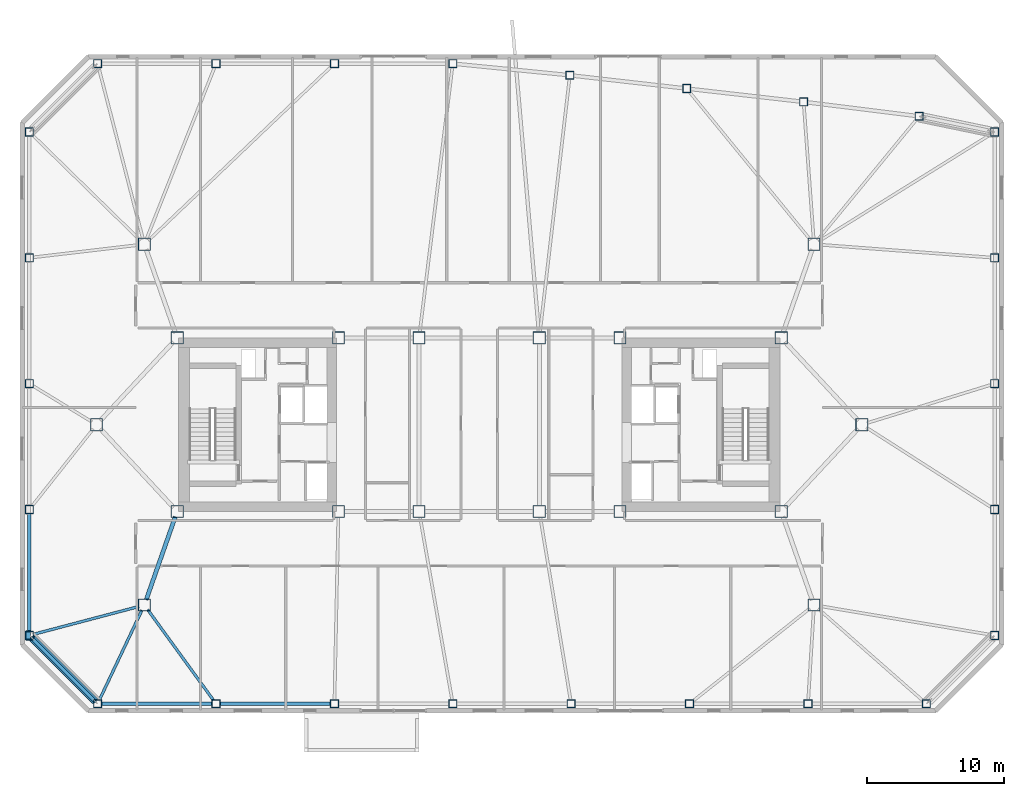
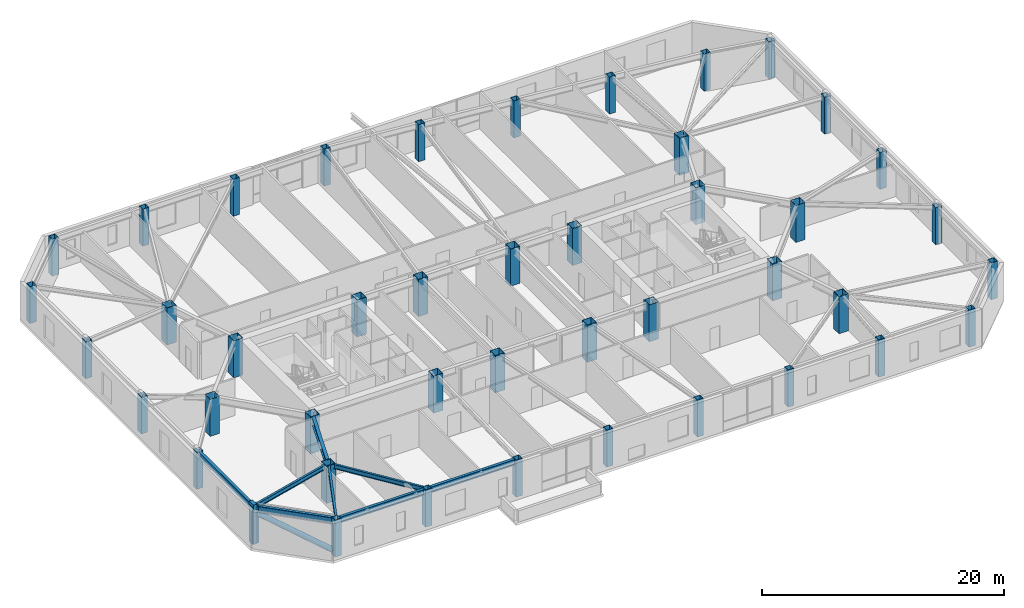
# One storey, part 1 of 18: 44 columns, 8 beams, 2 members.
"""IFC4 building model written with IfcOpenShell, lengths in metres."""

import ifcopenshell
import ifcopenshell.guid

model = None  # the IFC model being written
_history = None  # IfcOwnerHistory: only IFC2X3 demands one
_inside = {}  # id of a spatial element -> (the spatial element, [elements in it])
_under = {}  # id of a project, library or spatial element -> (it, [spatial elements below it])
_declared = {}  # id of a project -> (the project, [libraries it declares])
_typed = {}  # id of a type object -> (the type object, [elements of that type])
_made_of = {}  # id of a material, layer set ... -> (it, [elements and type objects made of it])


def new_model(schema):
    """Start an empty IFC model of exactly this schema.

    Asked for "IFC4X3", IfcOpenShell would pick the latest addendum, in which some entities
    have other attributes; the version numbers below select the first issue.
    IFC2X3 requires an IfcOwnerHistory on every rooted entity: one is made here for all.
    """
    global model, _history
    if schema == "IFC4X3":
        model = ifcopenshell.file(schema_version=(4, 3, 0, 0))
    else:
        model = ifcopenshell.file(schema=schema)
    _inside.clear()
    _under.clear()
    _declared.clear()
    _typed.clear()
    _made_of.clear()
    _history = None
    if model.schema == "IFC2X3":
        org = make("IfcOrganization", Name="unknown")
        user = make(
            "IfcPersonAndOrganization",
            ThePerson=make("IfcPerson", FamilyName="unknown"),
            TheOrganization=org,
        )
        app = make(
            "IfcApplication",
            ApplicationDeveloper=org,
            Version="unknown",
            ApplicationFullName="unknown",
            ApplicationIdentifier="unknown",
        )
        _history = make(
            "IfcOwnerHistory",
            OwningUser=user,
            OwningApplication=app,
            ChangeAction="ADDED",
            CreationDate=0,
        )
    return model


def make(cls, **values):
    """One entity of the class cls with the attributes given. An attribute that is None is left unset."""
    return model.create_entity(
        cls, **{name: value for name, value in values.items() if value is not None}
    )


def rooted(cls, **values):
    """An entity with a GlobalId (a new one), such as an element, a storey or a relation."""
    return make(cls, GlobalId=ifcopenshell.guid.new(), OwnerHistory=_history, **values)


def si_unit(unit_type, name, prefix=None):
    """IfcSIUnit, for example si_unit("LENGTHUNIT", "METRE", prefix="MILLI")."""
    return make("IfcSIUnit", UnitType=unit_type, Prefix=prefix, Name=name)


def assignment(units):
    """IfcUnitAssignment: the units of a project."""
    return None if units is None else make("IfcUnitAssignment", Units=units)


def point(xyz):
    """IfcCartesianPoint."""
    return None if xyz is None else make("IfcCartesianPoint", Coordinates=xyz)


def direction(xyz):
    """IfcDirection."""
    return None if xyz is None else make("IfcDirection", DirectionRatios=xyz)


def frame(location, z_axis=None, x_axis=None):
    """IfcAxis2Placement3D, a coordinate frame: its origin and axes. An axis left out is left unset."""
    return make(
        "IfcAxis2Placement3D",
        Location=point(location),
        Axis=direction(z_axis),
        RefDirection=direction(x_axis),
    )


def frame_2d(location, x_axis=None):
    """IfcAxis2Placement2D, a coordinate frame in the plane: its origin and x axis."""
    return make(
        "IfcAxis2Placement2D", Location=point(location), RefDirection=direction(x_axis)
    )


def origin():
    """The frame at (0, 0, 0) with its axes left unset."""
    return frame((0.0, 0.0, 0.0))


def origin_2d():
    """The frame at (0, 0) in the plane with its x axis left unset."""
    return frame_2d((0.0, 0.0))


def place(relative_to, where):
    """IfcLocalPlacement: puts the frame where relative to a parent placement (None: the world)."""
    return make(
        "IfcLocalPlacement", PlacementRelTo=relative_to, RelativePlacement=where
    )


def context(
    kind, dimensions, precision=None, world=None, true_north=None, identifier=None
):
    """IfcGeometricRepresentationContext, for example the 3D "Model" context."""
    return make(
        "IfcGeometricRepresentationContext",
        ContextIdentifier=identifier,
        ContextType=kind,
        CoordinateSpaceDimension=dimensions,
        Precision=precision,
        WorldCoordinateSystem=world,
        TrueNorth=true_north,
    )


def subcontext(parent, identifier, kind, view, scale=None):
    """IfcGeometricRepresentationSubContext, for example "Body" below "Model"."""
    return make(
        "IfcGeometricRepresentationSubContext",
        ContextIdentifier=identifier,
        ContextType=kind,
        ParentContext=parent,
        TargetScale=scale,
        TargetView=view,
    )


def project(units=None, contexts=None):
    """IfcProject with its units and contexts."""
    return rooted(
        "IfcProject",
        Name="project",
        RepresentationContexts=contexts,
        UnitsInContext=assignment(units),
    )


def spatial(cls, under=None, at=None, **own):
    """A site, building, storey or space (cls), placed at a placement, below another one or the project."""
    s = rooted(cls, ObjectPlacement=at, **own)
    if under is not None:
        _under.setdefault(under.id(), (under, []))[1].append(s)
    return s


def profile(cls, at=None, kind="AREA", **sizes):
    """A parametric profile (cls). Its sizes go by their IFC names, for example OverallWidth=200.0."""
    return make(cls, ProfileType=kind, Position=at, **sizes)


def rectangle(**sizes):
    """IfcRectangleProfileDef."""
    return profile("IfcRectangleProfileDef", **sizes)


def hollow_rectangle(**sizes):
    """IfcRectangleHollowProfileDef."""
    return profile("IfcRectangleHollowProfileDef", **sizes)


def hollow_circle(**sizes):
    """IfcCircleHollowProfileDef."""
    return profile("IfcCircleHollowProfileDef", **sizes)


def i_section(**sizes):
    """IfcIShapeProfileDef."""
    return profile("IfcIShapeProfileDef", **sizes)


def extrude(swept, where, along, depth):
    """IfcExtrudedAreaSolid: the profile swept, set in the frame where, extruded along a direction by depth."""
    return make(
        "IfcExtrudedAreaSolid",
        SweptArea=swept,
        Position=where,
        ExtrudedDirection=direction(along),
        Depth=depth,
    )


def shape(context_of_items, identifier, shape_type, items):
    """IfcShapeRepresentation: the items that make up one representation, for example the "Body"."""
    return make(
        "IfcShapeRepresentation",
        ContextOfItems=context_of_items,
        RepresentationIdentifier=identifier,
        RepresentationType=shape_type,
        Items=items,
    )


def material(Name=None, Category=None):
    """IfcMaterial."""
    return make("IfcMaterial", Name=Name, Category=Category)


def material_profile(
    of_material, cross_section, Name=None, Category=None, Priority=None
):
    """IfcMaterialProfile: a cross section and its material."""
    return make(
        "IfcMaterialProfile",
        Name=Name,
        Material=of_material,
        Profile=cross_section,
        Priority=Priority,
        Category=Category,
    )


def profile_set(profiles, Name=None, composite=None):
    """IfcMaterialProfileSet."""
    return make(
        "IfcMaterialProfileSet",
        Name=Name,
        MaterialProfiles=profiles,
        CompositeProfile=composite,
    )


def made_of(thing, what):
    """Note that an element or type object is made of a material, layer set ...; save() writes the relation."""
    if what is not None:
        _made_of.setdefault(what.id(), (what, []))[1].append(thing)
    return thing


def type_object(cls, material=None, **own):
    """A type object (cls), such as IfcWallType, which elements share."""
    return made_of(rooted(cls, **own), material)


def element(
    cls,
    number,
    at=None,
    inside=None,
    cuts=None,
    type_object=None,
    material=None,
    context=None,
    identifier="Body",
    shape_type=None,
    held_by="IfcProductDefinitionShape",
    body=None,
    shapes=None,
    **own,
):
    """One element of the class cls, such as IfcWall. Its Tag is "e" and its number.

    at: its placement. inside: the storey or other place that contains it. cuts: it is an
    opening in that element (IfcRelVoidsElement). A single representation is given by context,
    identifier, shape_type and body (its items); several are given by shapes. held_by: the class
    of the entity that holds the representations. save() writes the other relations.
    """
    e = rooted(cls, Tag="e%d" % number, ObjectPlacement=at, **own)
    if body is not None:
        shapes = [shape(context, identifier, shape_type, body)]
    if shapes is not None:
        e.Representation = make(held_by, Representations=shapes)
    if inside is not None:
        _inside.setdefault(inside.id(), (inside, []))[1].append(e)
    if cuts is not None:
        rooted(
            "IfcRelVoidsElement", RelatingBuildingElement=cuts, RelatedOpeningElement=e
        )
    if type_object is not None:
        _typed.setdefault(type_object.id(), (type_object, []))[1].append(e)
    return made_of(e, material)


def aggregate(whole, parts):
    """IfcRelAggregates: a whole, such as a stair, and the parts it consists of."""
    return rooted("IfcRelAggregates", RelatingObject=whole, RelatedObjects=parts)


def save(model, path):
    """Write the relations noted so far, then the file.

    IfcRelAggregates (storeys below a building ...), IfcRelContainedInSpatialStructure (elements
    in a storey), IfcRelDefinesByType, IfcRelAssociatesMaterial and IfcRelDeclares: one each for
    every whole, place, type object, material and project.
    """
    for whole, parts in _under.values():
        aggregate(whole, parts)
    for where, things in _inside.values():
        rooted(
            "IfcRelContainedInSpatialStructure",
            RelatedElements=things,
            RelatingStructure=where,
        )
    for kind, things in _typed.values():
        rooted("IfcRelDefinesByType", RelatedObjects=things, RelatingType=kind)
    for what, things in _made_of.values():
        rooted("IfcRelAssociatesMaterial", RelatedObjects=things, RelatingMaterial=what)
    for by, libraries in _declared.values():
        rooted("IfcRelDeclares", RelatingContext=by, RelatedDefinitions=libraries)
    model.write(path)


model = new_model("IFC4")

# Units and contexts
model_context = context("Model", 3, precision=1e-05, world=origin(), true_north=direction((0.0, 1.0)))
body_context = subcontext(model_context, "Body", "Model", "MODEL_VIEW")
ifc_project = project(units=[si_unit("LENGTHUNIT", "METRE"), si_unit("AREAUNIT", "SQUARE_METRE"), si_unit("VOLUMEUNIT", "CUBIC_METRE"), si_unit("PLANEANGLEUNIT", "RADIAN"), si_unit("MASSUNIT", "GRAM", prefix="KILO")], contexts=[model_context])

# Site, building, storey
site_placement = place(None, origin())
site = spatial("IfcSite", under=ifc_project, at=site_placement, CompositionType="ELEMENT")
building_placement = place(site_placement, origin())
building = spatial("IfcBuilding", under=site, at=building_placement, Name="Tavrogorsk Clinical Tower", CompositionType="ELEMENT")
storey_placement = place(building_placement, frame((0.0, 0.0, 168.199951171875)))
storey = spatial("IfcBuildingStorey", under=building, at=storey_placement, Name="L38", CompositionType="ELEMENT", Elevation=168.199951171875)

# Columns
ifc_material_1 = material(Name="Structural steel S440", Category="steel")
ifc_material_profile_1 = material_profile(ifc_material_1, hollow_rectangle(XDim=0.89990234375, YDim=0.89990234375, WallThickness=0.0400390625, at=origin_2d()), Name="BOX-900x900x40")
ifc_profile_set_1 = profile_set([ifc_material_profile_1], Name="Structural steel S440")
column_type_1 = type_object("IfcColumnType", Name="MegaCol_BOX900", PredefinedType="COLUMN", material=ifc_profile_set_1)
for number, where, z_axis, x_axis, name in (
    (1, (-22.10009765625, -6.35009765625, 0.0), (0.0, 0.0, 1.0), (1.0, 0.0, 0.0), "L38 Mega Column MC-W1"),
    (2, (-22.10009765625, 6.35009765625, 0.0), (0.0, 0.0, 1.0), (1.0, 0.0, 0.0), "L38 Mega Column MC-W2"),
    (3, (-10.300048828125, -6.35009765625, 0.0), (0.0, 0.0, 1.0), (1.0, 0.0, 0.0), "L38 Mega Column MC-W3"),
    (4, (-10.300048828125, 6.35009765625, 0.0), (0.0, 0.0, 1.0), (1.0, 0.0, 0.0), "L38 Mega Column MC-W4"),
    (5, (10.300048828125, -6.35009765625, 0.0), (0.0, 0.0, 1.0), (1.0, 0.0, 0.0), "L38 Mega Column MC-E1"),
    (6, (10.300048828125, 6.35009765625, 0.0), (0.0, 0.0, 1.0), (1.0, 0.0, 0.0), "L38 Mega Column MC-E2"),
    (7, (22.10009765625, -6.35009765625, 0.0), (0.0, 0.0, 1.0), (1.0, 0.0, 0.0), "L38 Mega Column MC-E3"),
    (8, (22.10009765625, 6.35009765625, 0.0), (0.0, 0.0, 1.0), (1.0, 0.0, 0.0), "L38 Mega Column MC-E4"),
    (9, (-4.39990234375, -6.35009765625, 0.0), (0.0, 0.0, 1.0), (1.0, 0.0, 0.0), "L38 Mega Column MC-C1"),
    (10, (4.39990234375, -6.35009765625, 0.0), (0.0, 0.0, 1.0), (1.0, 0.0, 0.0), "L38 Mega Column MC-C2"),
    (11, (-4.39990234375, 6.35009765625, 0.0), (0.0, 0.0, 1.0), (1.0, 0.0, 0.0), "L38 Mega Column MC-C3"),
    (12, (4.39990234375, 6.35009765625, 0.0), (0.0, 0.0, 1.0), (1.0, 0.0, 0.0), "L38 Mega Column MC-C4"),
    (13, (-24.5, -13.199951171875, 0.0), (0.0, 0.0, 1.0), (1.0, 0.0, 0.0), "L38 Spine Pilotis Column MC-P1"),
    (14, (24.5, -13.199951171875, 0.0), (0.0, 0.0, 1.0), (1.0, 0.0, 0.0), "L38 Spine Pilotis Column MC-P2"),
    (15, (-24.5, 13.199951171875, 0.0), (0.0, 0.0, 1.0), (1.0, 0.0, 0.0), "L38 Spine Pilotis Column MC-P3"),
    (16, (24.5, 13.199951171875, 0.0), (0.0, 0.0, 1.0), (1.0, 0.0, 0.0), "L38 Spine Pilotis Column MC-P4"),
    (17, (-28.0, 0.0, 0.0), (0.0, 0.0, 1.0), (1.0, 0.0, 0.0), "L38 Spine Pilotis Column MC-P5"),
    (18, (28.0, 0.0, 0.0), (0.0, 0.0, 1.0), (1.0, 0.0, 0.0), "L38 Spine Pilotis Column MC-P6"),
):
    element("IfcColumn", number, at=place(storey_placement, frame(where, z_axis=z_axis, x_axis=x_axis)), inside=storey, type_object=column_type_1, Name=name, PredefinedType="COLUMN", context=body_context, shape_type="SweptSolid", body=[
        extrude(hollow_rectangle(XDim=0.89990234375, YDim=0.89990234375, WallThickness=0.0400390625, at=origin_2d()), origin(), (0.0, 0.0, 1.0), 3.739990234375),
    ])
ifc_material_2 = material(Name="Structural steel S440", Category="steel")
ifc_material_profile_2 = material_profile(ifc_material_2, hollow_rectangle(XDim=0.60009765625, YDim=0.60009765625, WallThickness=0.028076171875, at=origin_2d()), Name="BOX-600x600x28")
ifc_profile_set_2 = profile_set([ifc_material_profile_2], Name="Structural steel S440")
column_type_2 = type_object("IfcColumnType", Name="PerimCol_B3_BOX600", PredefinedType="COLUMN", material=ifc_profile_set_2)
for number, where, z_axis, x_axis, name in (
    (19, (-27.919921875, -20.419921875, 0.0), (0.0, 0.0, 1.0), (1.0, 0.0, 0.0), "L38 Perimeter Column S1"),
    (20, (-19.257080078125, -20.419921875, 0.0), (0.0, 0.0, 1.0), (1.0, 0.0, 0.0), "L38 Perimeter Column S2"),
    (21, (-10.59423828125, -20.419921875, 0.0), (0.0, 0.0, 1.0), (1.0, 0.0, 0.0), "L38 Perimeter Column S3"),
    (22, (-1.931396484375, -20.419921875, 0.0), (0.0, 0.0, 1.0), (1.0, 0.0, 0.0), "L38 Perimeter Column S4"),
    (23, (6.7314453125, -20.419921875, 0.0), (0.0, 0.0, 1.0), (1.0, 0.0, 0.0), "L38 Perimeter Column S5"),
    (24, (15.394287109375, -20.419921875, 0.0), (0.0, 0.0, 1.0), (1.0, 0.0, 0.0), "L38 Perimeter Column S6"),
    (25, (24.05712890625, -20.419921875, 0.0), (0.0, 0.0, 1.0), (1.0, 0.0, 0.0), "L38 Perimeter Column S7"),
    (26, (32.719970703125, -20.419921875, 0.0), (0.0, 0.0, 1.0), (1.0, 0.0, 0.0), "L38 Perimeter Column S8"),
    (27, (32.19140625, 22.56591796875, 0.0), (0.0, 0.0, 1.0), (1.0, 0.0, 0.0), "L38 Perimeter Column N1"),
    (28, (23.73779296875, 23.617919921875, 0.0), (0.0, 0.0, 1.0), (1.0, 0.0, 0.0), "L38 Perimeter Column N2"),
    (29, (15.18603515625, 24.59228515625, 0.0), (0.0, 0.0, 1.0), (1.0, 0.0, 0.0), "L38 Perimeter Column N3"),
    (30, (6.63427734375, 25.566650390625, 0.0), (0.0, 0.0, 1.0), (1.0, 0.0, 0.0), "L38 Perimeter Column N4"),
    (31, (-1.931396484375, 26.419921875, 0.0), (0.0, 0.0, 1.0), (1.0, 0.0, 0.0), "L38 Perimeter Column N5"),
    (32, (-10.59423828125, 26.419921875, 0.0), (0.0, 0.0, 1.0), (1.0, 0.0, 0.0), "L38 Perimeter Column N6"),
    (33, (-19.257080078125, 26.419921875, 0.0), (0.0, 0.0, 1.0), (1.0, 0.0, 0.0), "L38 Perimeter Column N7"),
    (34, (-27.919921875, 26.419921875, 0.0), (0.0, 0.0, 1.0), (1.0, 0.0, 0.0), "L38 Perimeter Column N8"),
    (35, (37.719970703125, -15.419921875, 0.0), (0.0, 0.0, 1.0), (1.0, 0.0, 0.0), "L38 Perimeter Column E1"),
    (36, (37.719970703125, -6.2099609375, 0.0), (0.0, 0.0, 1.0), (1.0, 0.0, 0.0), "L38 Perimeter Column E2"),
    (37, (37.719970703125, 3.0, 0.0), (0.0, 0.0, 1.0), (1.0, 0.0, 0.0), "L38 Perimeter Column E3"),
    (38, (37.719970703125, 12.2099609375, 0.0), (0.0, 0.0, 1.0), (1.0, 0.0, 0.0), "L38 Perimeter Column E4"),
    (39, (37.719970703125, 21.419921875, 0.0), (0.0, 0.0, 1.0), (1.0, 0.0, 0.0), "L38 Perimeter Column E5"),
    (40, (-32.919921875, 21.419921875, 0.0), (0.0, 0.0, 1.0), (1.0, 0.0, 0.0), "L38 Perimeter Column W1"),
    (41, (-32.919921875, 12.2099609375, 0.0), (0.0, 0.0, 1.0), (1.0, 0.0, 0.0), "L38 Perimeter Column W2"),
    (42, (-32.919921875, 3.0, 0.0), (0.0, 0.0, 1.0), (1.0, 0.0, 0.0), "L38 Perimeter Column W3"),
    (43, (-32.919921875, -6.2099609375, 0.0), (0.0, 0.0, 1.0), (1.0, 0.0, 0.0), "L38 Perimeter Column W4"),
    (44, (-32.919921875, -15.419921875, 0.0), (0.0, 0.0, 1.0), (1.0, 0.0, 0.0), "L38 Perimeter Column W5"),
):
    element("IfcColumn", number, at=place(storey_placement, frame(where, z_axis=z_axis, x_axis=x_axis)), inside=storey, type_object=column_type_2, Name=name, PredefinedType="COLUMN", context=body_context, shape_type="SweptSolid", body=[
        extrude(hollow_rectangle(XDim=0.60009765625, YDim=0.60009765625, WallThickness=0.028076171875, at=origin_2d()), origin(), (0.0, 0.0, 1.0), 3.739990234375),
    ])

# Member
ifc_material_3 = material(Name="Structural steel S440", Category="steel")
ifc_material_profile_3 = material_profile(ifc_material_3, hollow_circle(Radius=0.25390625, WallThickness=0.02001953125, at=origin_2d()), Name="CHS-508x20")
ifc_profile_set_3 = profile_set([ifc_material_profile_3], Name="Structural steel S440")
member_type_1 = type_object("IfcMemberType", Name="ExoBrace_CHS508", PredefinedType="BRACE", material=ifc_profile_set_3)
member_1_placement = place(storey_placement, frame((-28.12255859375, -20.217529296875, 0.4130859375), z_axis=(-0.657758524103, 0.657758524103, 0.367025132572), x_axis=(-0.707106781187, -0.707106781187, 0.0)))
element("IfcMember", 45, at=member_1_placement, inside=storey, type_object=member_type_1, Name="L38 Corner Exoskeleton Brace W5-S1", PredefinedType="BRACE", context=body_context, shape_type="SweptSolid", body=[
    extrude(hollow_circle(Radius=0.25390625, WallThickness=0.02001953125, at=origin_2d()), origin(), (0.0, 0.0, 1.0), 6.98583984375),
])

# Beams
ifc_material_4 = material(Name="Structural steel S355", Category="steel")
ifc_material_profile_4 = material_profile(ifc_material_4, i_section(OverallWidth=0.199951171875, OverallDepth=0.449951171875, WebThickness=0.011474609375, FlangeThickness=0.01806640625, at=origin_2d()), Name="B-450x200x11.5x18")
ifc_profile_set_4 = profile_set([ifc_material_profile_4], Name="Structural steel S355")
beam_type_1 = type_object("IfcBeamType", Name="FloorBeam_B450", PredefinedType="BEAM", material=ifc_profile_set_4)
beam_1_placement = place(storey_placement, frame((-24.675537109375, -13.570556640625, 3.51513671875), z_axis=(-0.42808057121, -0.903740573701, 0.0), x_axis=(0.903740573701, -0.42808057121, 0.0)))
element("IfcBeam", 46, at=beam_1_placement, inside=storey, type_object=beam_type_1, Name="L38 Radial Floor Beam S1", PredefinedType="BEAM", context=body_context, shape_type="SweptSolid", body=[
    extrude(i_section(OverallWidth=0.199951171875, OverallDepth=0.449951171875, WebThickness=0.011474609375, FlangeThickness=0.01806640625, at=origin_2d()), origin(), (0.0, 0.0, 1.0), 7.27099609375),
])
beam_2_placement = place(storey_placement, frame((-24.259033203125, -13.53173828125, 3.51513671875), z_axis=(0.587578845372, -0.809166917559, 0.0), x_axis=(0.809166917559, 0.587578845372, 0.0)))
element("IfcBeam", 47, at=beam_2_placement, inside=storey, type_object=beam_type_1, Name="L38 Radial Floor Beam S2", PredefinedType="BEAM", context=body_context, shape_type="SweptSolid", body=[
    extrude(i_section(OverallWidth=0.199951171875, OverallDepth=0.449951171875, WebThickness=0.011474609375, FlangeThickness=0.01806640625, at=origin_2d()), origin(), (0.0, 0.0, 1.0), 8.204833984375),
])
beam_3_placement = place(storey_placement, frame((-24.896484375, -13.304443359375, 3.51513671875), z_axis=(-0.966949342117, -0.254968566257, 0.0), x_axis=(0.254968566257, -0.966949342117, 0.0)))
element("IfcBeam", 48, at=beam_3_placement, inside=storey, type_object=beam_type_1, Name="L38 Radial Floor Beam W5", PredefinedType="BEAM", context=body_context, shape_type="SweptSolid", body=[
    extrude(i_section(OverallWidth=0.199951171875, OverallDepth=0.449951171875, WebThickness=0.011474609375, FlangeThickness=0.01806640625, at=origin_2d()), origin(), (0.0, 0.0, 1.0), 7.98974609375),
])

# Member
ifc_material_5 = material(Name="Precast concrete B45 with limestone cladding", Category="masonry")
ifc_material_profile_5 = material_profile(ifc_material_5, rectangle(XDim=0.320068359375, YDim=0.719970703125, at=origin_2d()), Name="LIMESTONE-FIN-320x720")
ifc_profile_set_5 = profile_set([ifc_material_profile_5], Name="Precast concrete B45 with limestone cladding")
member_type_2 = type_object("IfcMemberType", Name="LimestonePleatFin_320x720", PredefinedType="USERDEFINED", material=ifc_profile_set_5)
member_2_placement = place(storey_placement, frame((-33.0, -15.419921875, 0.0), z_axis=(0.0, 0.0, 1.0), x_axis=(1.0, 0.0, 0.0)))
element("IfcMember", 49, at=member_2_placement, inside=storey, type_object=member_type_2, Name="L38 W Pleated Stone Fin 4", ObjectType="FIN", PredefinedType="USERDEFINED", context=body_context, shape_type="SweptSolid", body=[
    extrude(rectangle(XDim=0.320068359375, YDim=0.719970703125, at=origin_2d()), origin(), (0.0, 0.0, 1.0), 4.0),
])

# Beams
ifc_material_6 = material(Name="Structural steel S390", Category="steel")
ifc_material_profile_6 = material_profile(ifc_material_6, i_section(OverallWidth=0.300048828125, OverallDepth=0.699951171875, WebThickness=0.01708984375, FlangeThickness=0.028076171875, at=origin_2d()), Name="B-700x300x17x28")
ifc_profile_set_6 = profile_set([ifc_material_profile_6], Name="Structural steel S390")
beam_type_2 = type_object("IfcBeamType", Name="PrimaryGirder_B700", PredefinedType="USERDEFINED", material=ifc_profile_set_6)
beam_4_placement = place(storey_placement, frame((-24.364501953125, -12.81298828125, 3.39013671875), z_axis=(0.330673031392, 0.94374538214, 0.0), x_axis=(-0.94374538214, 0.330673031392, 0.0)))
element("IfcBeam", 50, at=beam_4_placement, inside=storey, type_object=beam_type_2, Name="L38 Spine Link Girder OPG-1", ObjectType="GIRDER", PredefinedType="USERDEFINED", context=body_context, shape_type="SweptSolid", body=[
    extrude(i_section(OverallWidth=0.300048828125, OverallDepth=0.699951171875, WebThickness=0.01708984375, FlangeThickness=0.028076171875, at=origin_2d()), origin(), (0.0, 0.0, 1.0), 6.43798828125),
])
ifc_material_7 = material(Name="Structural steel S390", Category="steel")
ifc_material_profile_7 = material_profile(ifc_material_7, i_section(OverallWidth=0.260009765625, OverallDepth=0.60009765625, WebThickness=0.014892578125, FlangeThickness=0.02392578125, at=origin_2d()), Name="B-600x260x15x24")
ifc_profile_set_7 = profile_set([ifc_material_profile_7], Name="Structural steel S390")
beam_type_3 = type_object("IfcBeamType", Name="SpandrelBeam_B600", PredefinedType="SPANDREL", material=ifc_profile_set_7)
for number, where, z_axis, x_axis, name in (
    (51, (-27.612060546875, -20.419921875, 3.43994140625), (1.0, 0.0, 0.0), (0.0, 1.0, 0.0), "L38 Perimeter Spandrel S1-S2"),
    (52, (-18.94921875, -20.419921875, 3.43994140625), (1.0, 0.0, 0.0), (0.0, 1.0, 0.0), "L38 Perimeter Spandrel S2-S3"),
):
    element("IfcBeam", number, at=place(storey_placement, frame(where, z_axis=z_axis, x_axis=x_axis)), inside=storey, type_object=beam_type_3, Name=name, PredefinedType="SPANDREL", context=body_context, shape_type="SweptSolid", body=[
        extrude(i_section(OverallWidth=0.260009765625, OverallDepth=0.60009765625, WebThickness=0.014892578125, FlangeThickness=0.02392578125, at=origin_2d()), origin(), (0.0, 0.0, 1.0), 8.046875),
    ])
beam_5_placement = place(storey_placement, frame((-32.919921875, -6.51806640625, 3.43994140625), z_axis=(0.0, -1.0, 0.0), x_axis=(1.0, 0.0, 0.0)))
element("IfcBeam", 53, at=beam_5_placement, inside=storey, type_object=beam_type_3, Name="L38 Perimeter Spandrel W4-W5", PredefinedType="SPANDREL", context=body_context, shape_type="SweptSolid", body=[
    extrude(i_section(OverallWidth=0.260009765625, OverallDepth=0.60009765625, WebThickness=0.014892578125, FlangeThickness=0.02392578125, at=origin_2d()), origin(), (0.0, 0.0, 1.0), 8.593994140625),
])
beam_6_placement = place(storey_placement, frame((-32.7021484375, -15.6376953125, 3.43994140625), z_axis=(0.707106781187, -0.707106781187, 0.0), x_axis=(0.707106781187, 0.707106781187, 0.0)))
element("IfcBeam", 54, at=beam_6_placement, inside=storey, type_object=beam_type_3, Name="L38 Perimeter Spandrel W5-S1", PredefinedType="SPANDREL", context=body_context, shape_type="SweptSolid", body=[
    extrude(i_section(OverallWidth=0.260009765625, OverallDepth=0.60009765625, WebThickness=0.014892578125, FlangeThickness=0.02392578125, at=origin_2d()), origin(), (0.0, 0.0, 1.0), 6.455078125),
])

save(model, "model.ifc")
